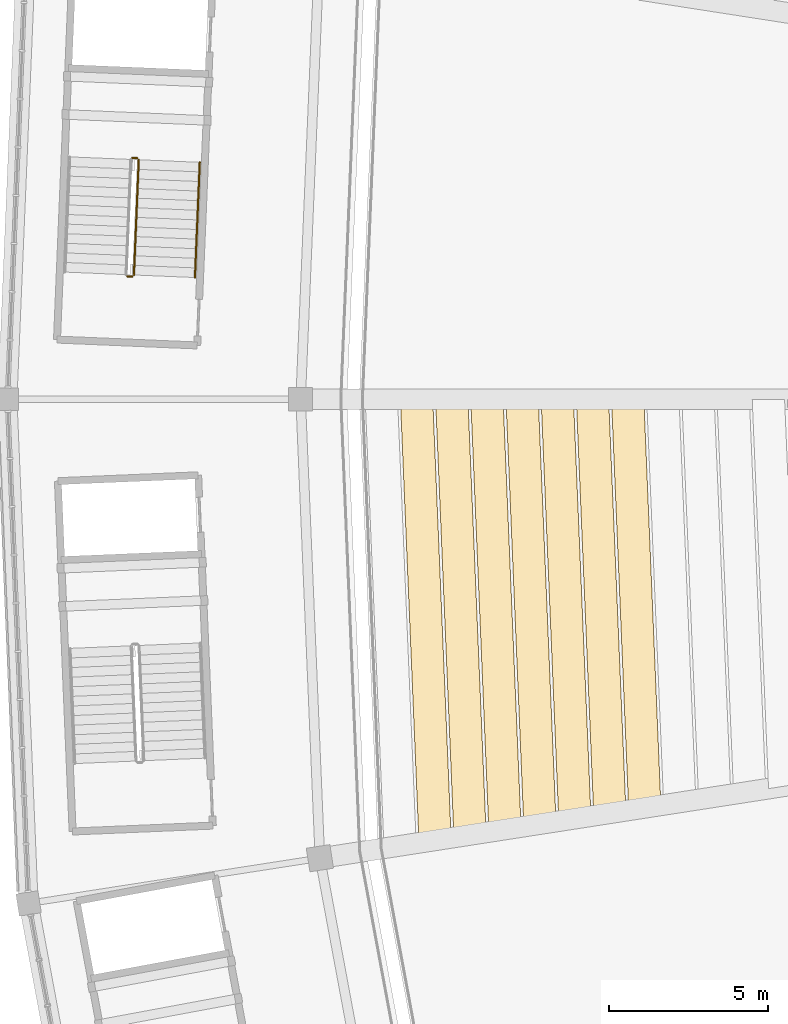
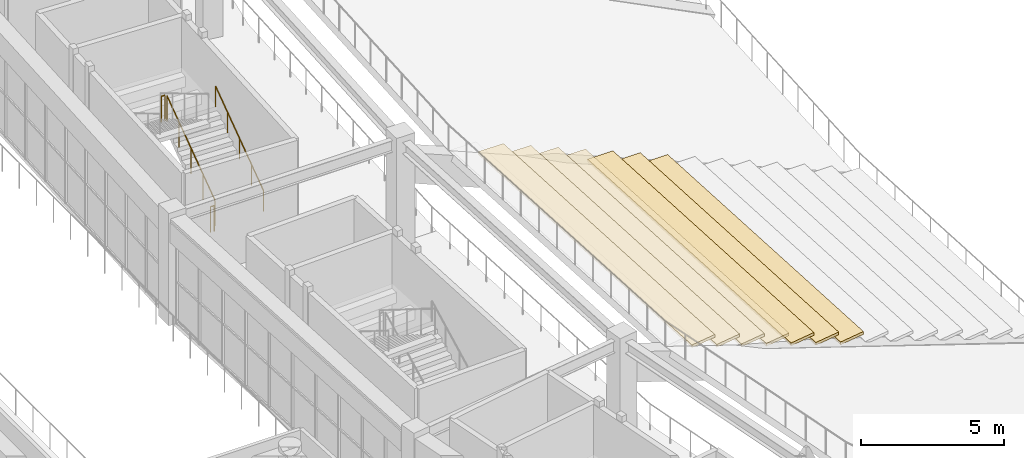
# One storey, part 119 of 137: 7 coverings, 4 railings.
"""IFC4 building model written with IfcOpenShell, lengths in metres."""

from ifc_helpers import new_model, si_unit, direction, frame, origin, origin_2d, place, context, subcontext, project, spatial, polyline, circle, outline, extrude, material, layer, layer_set, type_object, element, save


model = new_model("IFC4")

# Units and contexts
model_context = context("Model", 3, precision=1e-05, world=origin(), true_north=direction((0.0, 1.0)))
body_context = subcontext(model_context, "Body", "Model", "MODEL_VIEW")
ifc_project = project(units=[si_unit("LENGTHUNIT", "METRE"), si_unit("AREAUNIT", "SQUARE_METRE"), si_unit("VOLUMEUNIT", "CUBIC_METRE"), si_unit("PLANEANGLEUNIT", "RADIAN"), si_unit("MASSUNIT", "GRAM", prefix="KILO")], contexts=[model_context])

# Site, building, storey
site_placement = place(None, origin())
site = spatial("IfcSite", under=ifc_project, at=site_placement, CompositionType="ELEMENT")
building_placement = place(site_placement, origin())
building = spatial("IfcBuilding", under=site, at=building_placement, Name="Mphavela Belvedere Stadium", CompositionType="ELEMENT")
storey_placement = place(building_placement, frame((0.0, 0.0, 19.199951171875)))
storey = spatial("IfcBuildingStorey", under=building, at=storey_placement, Name="L04", CompositionType="ELEMENT", Elevation=19.199951171875)

# Coverings
ifc_material_1 = material(Name="Precast seating row terrazzo finish", Category="concrete")
ifc_layer = layer(ifc_material_1, 0.1201171875)
ifc_layer_set = layer_set([ifc_layer], Name="Precast seating row terrazzo finish")
covering_type = type_object("IfcCoveringType", Name="COV-SEAT-ROW-U", PredefinedType="FLOORING", material=ifc_layer_set)
covering_1_placement = place(storey_placement, frame((0.0, 0.0, -0.13671875)))
element("IfcCovering", 1, at=covering_1_placement, inside=storey, type_object=covering_type, Name="Upper stand seating row bench B25-R08", PredefinedType="FLOORING", context=body_context, shape_type="SweptSolid", body=[
    extrude(outline(polyline([(32.181396484375, 87.0), (32.716796875, 74.2373046875), (31.705810546875, 74.08056640625), (31.1640625, 87.0), (32.181396484375, 87.0)])), origin(), (0.0, 0.0, 1.0), 0.1201171875),
])
covering_2_placement = place(storey_placement, frame((0.0, 0.0, 0.330078125)))
element("IfcCovering", 2, at=covering_2_placement, inside=storey, type_object=covering_type, Name="Upper stand seating row bench B25-R09", PredefinedType="FLOORING", context=body_context, shape_type="SweptSolid", body=[
    extrude(outline(polyline([(31.07568359375, 87.0), (31.617919921875, 74.06689453125), (30.607421875, 73.91015625), (30.058349609375, 87.0), (31.07568359375, 87.0)])), origin(), (0.0, 0.0, 1.0), 0.119873046875),
])
covering_3_placement = place(storey_placement, frame((0.0, 0.0, 0.796630859375)))
element("IfcCovering", 3, at=covering_3_placement, inside=storey, type_object=covering_type, Name="Upper stand seating row bench B25-R10", PredefinedType="FLOORING", context=body_context, shape_type="SweptSolid", body=[
    extrude(outline(polyline([(29.9697265625, 87.0), (30.519287109375, 73.896484375), (29.508544921875, 73.73974609375), (28.952392578125, 87.0), (29.9697265625, 87.0)])), origin(), (0.0, 0.0, 1.0), 0.1201171875),
])
covering_4_placement = place(storey_placement, frame((0.0, 0.0, 1.263427734375)))
element("IfcCovering", 4, at=covering_4_placement, inside=storey, type_object=covering_type, Name="Upper stand seating row bench B25-R11", PredefinedType="FLOORING", context=body_context, shape_type="SweptSolid", body=[
    extrude(outline(polyline([(28.864013671875, 87.0), (29.420654296875, 73.72607421875), (28.409912109375, 73.5693359375), (27.8466796875, 87.0), (28.864013671875, 87.0)])), origin(), (0.0, 0.0, 1.0), 0.119873046875),
])
covering_5_placement = place(storey_placement, frame((0.0, 0.0, 1.72998046875)))
element("IfcCovering", 5, at=covering_5_placement, inside=storey, type_object=covering_type, Name="Upper stand seating row bench B25-R12", PredefinedType="FLOORING", context=body_context, shape_type="SweptSolid", body=[
    extrude(outline(polyline([(27.75830078125, 87.0), (28.322021484375, 73.5556640625), (27.311279296875, 73.39892578125), (26.740966796875, 87.0), (27.75830078125, 87.0)])), origin(), (0.0, 0.0, 1.0), 0.1201171875),
])
covering_6_placement = place(storey_placement, frame((0.0, 0.0, 2.19677734375)))
element("IfcCovering", 6, at=covering_6_placement, inside=storey, type_object=covering_type, Name="Upper stand seating row bench B25-R13", PredefinedType="FLOORING", context=body_context, shape_type="SweptSolid", body=[
    extrude(outline(polyline([(26.65234375, 87.0), (27.223388671875, 73.38525390625), (26.212646484375, 73.228515625), (25.635009765625, 87.0), (26.65234375, 87.0)])), origin(), (0.0, 0.0, 1.0), 0.119873046875),
])
covering_7_placement = place(storey_placement, frame((0.0, 0.0, 2.663330078125)))
element("IfcCovering", 7, at=covering_7_placement, inside=storey, type_object=covering_type, Name="Upper stand seating row bench B25-R14", PredefinedType="FLOORING", context=body_context, shape_type="SweptSolid", body=[
    extrude(outline(polyline([(25.546630859375, 87.0), (26.124755859375, 73.21484375), (25.114013671875, 73.05810546875), (24.529296875, 87.0), (25.546630859375, 87.0)])), origin(), (0.0, 0.0, 1.0), 0.1201171875),
])

# Railings
ifc_material_2 = material(Name="Painted galvanised steel stair guardrail", Category="steel")
railing_type_1 = type_object("IfcRailingType", Name="RAL-GUARD-1120", PredefinedType="GUARDRAIL", material=ifc_material_2)
railing_1_placement = place(storey_placement, frame((16.15478515625, 90.906005859375, 0.1845703125)))
element("IfcRailing", 8, at=railing_1_placement, inside=storey, type_object=railing_type_1, Name="L04 ST-C07 stair guard 1", PredefinedType="GUARDRAIL", context=body_context, shape_type="SweptSolid", body=[
    extrude(circle(Radius=0.02392578125, at=origin_2d()), frame((0.0, 0.0, 1.09619140625), z_axis=(0.035693202328, 0.852441036602, 0.521603560594), x_axis=(-0.99912452908, 0.041835097604, 0.0)), (0.0, 0.0, 1.0), 4.24755859375),
    extrude(circle(Radius=0.02099609375, at=origin_2d()), origin(), (0.0, 0.0, 1.0), 1.072021484375),
    extrude(circle(Radius=0.02099609375, at=origin_2d()), frame((0.037841796875, 0.9052734375, 0.553955078125)), (0.0, 0.0, 1.0), 1.072021484375),
    extrude(circle(Radius=0.02099609375, at=origin_2d()), frame((0.07568359375, 1.810546875, 1.10791015625)), (0.0, 0.0, 1.0), 1.072021484375),
    extrude(circle(Radius=0.02099609375, at=origin_2d()), frame((0.11376953125, 2.715576171875, 1.66162109375)), (0.0, 0.0, 1.0), 1.072021484375),
    extrude(circle(Radius=0.02099609375, at=origin_2d()), frame((0.151611328125, 3.620849609375, 2.215576171875)), (0.0, 0.0, 1.0), 1.072021484375),
])
for number, where, name in (
    (9, (16.258544921875, 94.578857421875, 2.400146484375), "L04 ST-C07 stair guard 2"),
    (10, (16.102783203125, 90.858154296875, 0.0), "L04 ST-C07 stair guard 4"),
):
    element("IfcRailing", number, at=place(storey_placement, frame(where)), inside=storey, type_object=railing_type_1, Name=name, PredefinedType="GUARDRAIL", context=body_context, shape_type="SweptSolid", body=[
        extrude(circle(Radius=0.02392578125, at=origin_2d()), frame((0.0, 0.0, 1.09619140625), z_axis=(-0.999104642697, 0.04230736272, 0.0), x_axis=(-0.04230736272, -0.999104642697, 0.0)), (0.0, 0.0, 1.0), 0.150146484375),
        extrude(circle(Radius=0.02099609375, at=origin_2d()), origin(), (0.0, 0.0, 1.0), 1.072021484375),
        extrude(circle(Radius=0.02099609375, at=origin_2d()), frame((-0.14990234375, 0.00634765625, 0.0)), (0.0, 0.0, 1.0), 1.072021484375),
    ])
ifc_material_3 = material(Name="Brushed stainless steel tubular handrail", Category="steel")
railing_type_2 = type_object("IfcRailingType", Name="RAL-HANDRAIL-900", PredefinedType="HANDRAIL", material=ifc_material_3)
railing_2_placement = place(storey_placement, frame((18.072998046875, 90.82568359375, 0.1845703125)))
element("IfcRailing", 11, at=railing_2_placement, inside=storey, type_object=railing_type_2, Name="L04 ST-C07 stair handrail 1", PredefinedType="HANDRAIL", context=body_context, shape_type="SweptSolid", body=[
    extrude(circle(Radius=0.02392578125, at=origin_2d()), frame((0.0, 0.0, 0.8759765625), z_axis=(0.035750605902, 0.852439286385, 0.521602489646), x_axis=(-0.999121710974, 0.041902346721, 0.0)), (0.0, 0.0, 1.0), 4.24755859375),
    extrude(circle(Radius=0.02099609375, at=origin_2d()), origin(), (0.0, 0.0, 1.0), 0.851806640625),
    extrude(circle(Radius=0.02099609375, at=origin_2d()), frame((0.0380859375, 0.9052734375, 0.553955078125)), (0.0, 0.0, 1.0), 0.851806640625),
    extrude(circle(Radius=0.02099609375, at=origin_2d()), frame((0.075927734375, 1.810546875, 1.10791015625)), (0.0, 0.0, 1.0), 0.851806640625),
    extrude(circle(Radius=0.02099609375, at=origin_2d()), frame((0.11376953125, 2.715576171875, 1.66162109375)), (0.0, 0.0, 1.0), 0.851806640625),
    extrude(circle(Radius=0.02099609375, at=origin_2d()), frame((0.15185546875, 3.620849609375, 2.215576171875)), (0.0, 0.0, 1.0), 0.851806640625),
])

save(model, "model.ifc")
